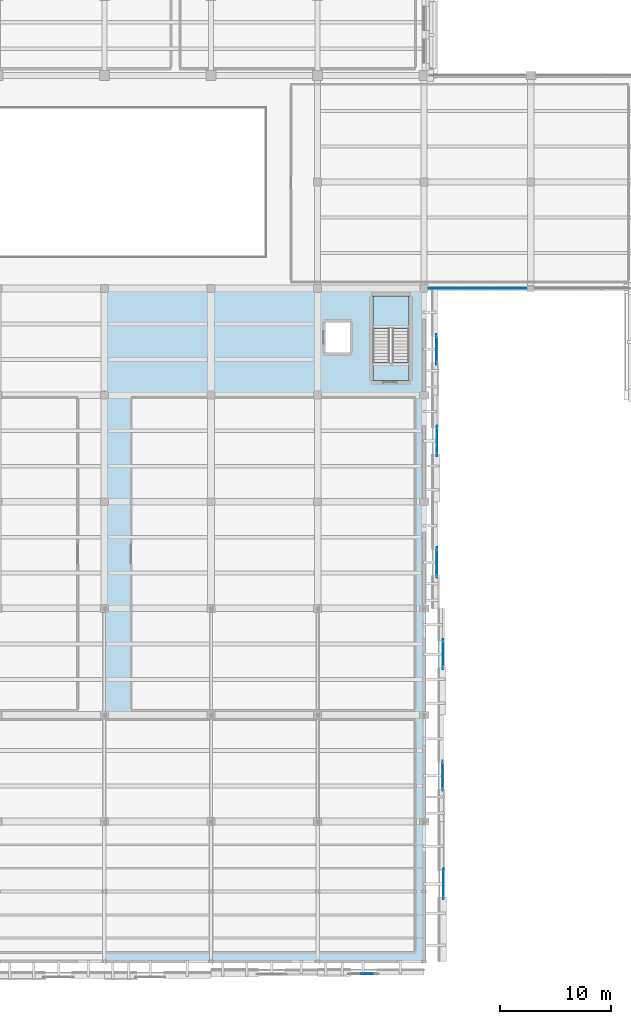
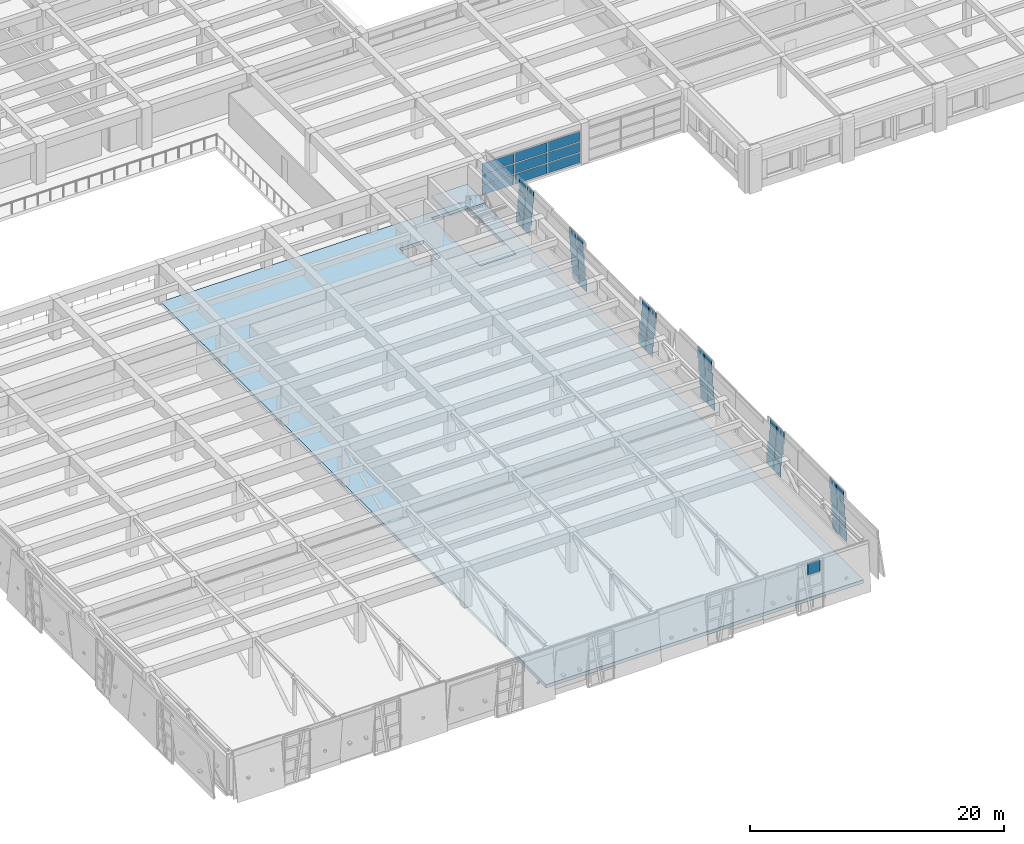
# One storey, part 32 of 62: 58 plates, 3 slabs, 9 elements without a shape of their own.
"""IFC4 building model written with IfcOpenShell, lengths in metres."""

from ifc_helpers import new_model, si_unit, direction, frame, origin, origin_2d, place, context, subcontext, project, spatial, polyline, rectangle, outline, extrude, material, layer, layer_set, type_object, element, aggregate, save


model = new_model("IFC4")

# Units and contexts
model_context = context("Model", 3, precision=1e-05, world=origin(), true_north=direction((0.0, 1.0)))
body_context = subcontext(model_context, "Body", "Model", "MODEL_VIEW")
ifc_project = project(units=[si_unit("LENGTHUNIT", "METRE"), si_unit("AREAUNIT", "SQUARE_METRE"), si_unit("VOLUMEUNIT", "CUBIC_METRE"), si_unit("PLANEANGLEUNIT", "RADIAN"), si_unit("MASSUNIT", "GRAM", prefix="KILO")], contexts=[model_context])

# Site, building, storey
site_placement = place(None, origin())
site = spatial("IfcSite", under=ifc_project, at=site_placement, CompositionType="ELEMENT")
building_placement = place(site_placement, origin())
building = spatial("IfcBuilding", under=site, at=building_placement, Name="Bempovik Park Faculty of Sciences", CompositionType="ELEMENT")
storey_placement = place(building_placement, frame((0.0, 0.0, 9.89990234375)))
storey = spatial("IfcBuildingStorey", under=building, at=storey_placement, Name="L02", CompositionType="ELEMENT", Elevation=9.89990234375)

# Curtain wall, plates
ifc_material_1 = material(Name="Tempered laminated low-E glass", Category="glass")
ifc_layer_1 = layer(ifc_material_1, 0.159912109375)
ifc_layer_set_1 = layer_set([ifc_layer_1], Name="Tempered laminated low-E glass")
curtain_wall_type_1 = type_object("IfcCurtainWallType", Name="CW-41 Curtain 6600x3800", PredefinedType="USERDEFINED", material=ifc_layer_set_1)
curtain_wall_1_placement = place(storey_placement, origin())
curtain_wall_1 = element("IfcCurtainWall", 1, at=curtain_wall_1_placement, inside=storey, type_object=curtain_wall_type_1, Name="L02 Unitised Curtain Wall (67.8,117.6)", ObjectType="UNITISED CURTAIN WALL", PredefinedType="USERDEFINED")
ifc_layer_2 = layer(ifc_material_1, 0.033935546875)
ifc_layer_set_2 = layer_set([ifc_layer_2], Name="Tempered laminated low-E glass")
plate_type_1 = type_object("IfcPlateType", Name="CP-19 Curtain Panel 34mm", PredefinedType="CURTAIN_PANEL", material=ifc_layer_set_2)
plate_1_placement = place(storey_placement, frame((119.434814453125, 67.800048828125, 1.066650390625), z_axis=(0.0, 0.0, 1.0), x_axis=(1.0, 0.0, 0.0)))
plate_1 = element("IfcPlate", 2, at=plate_1_placement, type_object=plate_type_1, Name="CW-BAY-L02-678-1176 Panel 0-1", PredefinedType="CURTAIN_PANEL", context=body_context, shape_type="SweptSolid", body=[
    extrude(rectangle(XDim=2.88525390625, YDim=0.035888671875, at=origin_2d()), origin(), (0.0, 0.0, 1.0), 0.94677734375),
])
plate_2_placement = place(storey_placement, frame((119.434814453125, 67.800048828125, 2.093505859375), z_axis=(0.0, 0.0, 1.0), x_axis=(1.0, 0.0, 0.0)))
plate_2 = element("IfcPlate", 3, at=plate_2_placement, type_object=plate_type_1, Name="CW-BAY-L02-678-1176 Panel 0-2", PredefinedType="CURTAIN_PANEL", context=body_context, shape_type="SweptSolid", body=[
    extrude(rectangle(XDim=2.88525390625, YDim=0.035888671875, at=origin_2d()), origin(), (0.0, 0.0, 1.0), 0.94677734375),
])
plate_3_placement = place(storey_placement, frame((122.39990234375, 67.800048828125, 1.066650390625), z_axis=(0.0, 0.0, 1.0), x_axis=(1.0, 0.0, 0.0)))
plate_3 = element("IfcPlate", 4, at=plate_3_placement, type_object=plate_type_1, Name="CW-BAY-L02-678-1176 Panel 1-1", PredefinedType="CURTAIN_PANEL", context=body_context, shape_type="SweptSolid", body=[
    extrude(rectangle(XDim=2.88525390625, YDim=0.035888671875, at=origin_2d()), origin(), (0.0, 0.0, 1.0), 0.94677734375),
])
plate_4_placement = place(storey_placement, frame((122.39990234375, 67.800048828125, 2.093505859375), z_axis=(0.0, 0.0, 1.0), x_axis=(1.0, 0.0, 0.0)))
plate_4 = element("IfcPlate", 5, at=plate_4_placement, type_object=plate_type_1, Name="CW-BAY-L02-678-1176 Panel 1-2", PredefinedType="CURTAIN_PANEL", context=body_context, shape_type="SweptSolid", body=[
    extrude(rectangle(XDim=2.88525390625, YDim=0.035888671875, at=origin_2d()), origin(), (0.0, 0.0, 1.0), 0.94677734375),
])
plate_5_placement = place(storey_placement, frame((125.365234375, 67.800048828125, 1.066650390625), z_axis=(0.0, 0.0, 1.0), x_axis=(1.0, 0.0, 0.0)))
plate_5 = element("IfcPlate", 6, at=plate_5_placement, type_object=plate_type_1, Name="CW-BAY-L02-678-1176 Panel 2-1", PredefinedType="CURTAIN_PANEL", context=body_context, shape_type="SweptSolid", body=[
    extrude(rectangle(XDim=2.88525390625, YDim=0.035888671875, at=origin_2d()), origin(), (0.0, 0.0, 1.0), 0.94677734375),
])
plate_6_placement = place(storey_placement, frame((125.365234375, 67.800048828125, 2.093505859375), z_axis=(0.0, 0.0, 1.0), x_axis=(1.0, 0.0, 0.0)))
plate_6 = element("IfcPlate", 7, at=plate_6_placement, type_object=plate_type_1, Name="CW-BAY-L02-678-1176 Panel 2-2", PredefinedType="CURTAIN_PANEL", context=body_context, shape_type="SweptSolid", body=[
    extrude(rectangle(XDim=2.88525390625, YDim=0.035888671875, at=origin_2d()), origin(), (0.0, 0.0, 1.0), 0.94677734375),
])

ifc_layer_3 = layer(ifc_material_1, 0.159912109375)
ifc_layer_set_3 = layer_set([ifc_layer_3], Name="Tempered laminated low-E glass")
curtain_wall_type_2 = type_object("IfcCurtainWallType", Name="CW-61 Curtain 2400x4200", PredefinedType="USERDEFINED", material=ifc_layer_set_3)
curtain_wall_2_placement = place(storey_placement, origin())
curtain_wall_2 = element("IfcCurtainWall", 8, at=curtain_wall_2_placement, inside=storey, type_object=curtain_wall_type_2, Name="L02 Crystal Slantwise Light Fold (117.6,7.2)", ObjectType="UNITISED CURTAIN WALL", PredefinedType="USERDEFINED")
ifc_layer_4 = layer(ifc_material_1, 0.035888671875)
ifc_layer_set_4 = layer_set([ifc_layer_4], Name="Tempered laminated low-E glass")
plate_type_2 = type_object("IfcPlateType", Name="CP-22 Curtain Panel 36mm", PredefinedType="CURTAIN_PANEL", material=ifc_layer_set_4)
plate_7_placement = place(storey_placement, frame((119.34033203125, 13.344970703125, -0.3798828125), z_axis=(0.0, 0.0, 1.0), x_axis=(0.0, 1.0, 0.0)))
plate_7 = element("IfcPlate", 9, at=plate_7_placement, type_object=plate_type_2, Name="CW-FOLD-L02-1176-72 Panel 0-0", PredefinedType="CURTAIN_PANEL", context=body_context, shape_type="SweptSolid", body=[
    extrude(rectangle(XDim=1.070068359375, YDim=0.035888671875, at=origin_2d()), origin(), (0.0, 0.0, 1.0), 1.0849609375),
])
plate_8_placement = place(storey_placement, frame((119.34033203125, 13.514892578125, 0.78515625), z_axis=(0.0, 0.0, 1.0), x_axis=(0.0, 1.0, 0.0)))
plate_8 = element("IfcPlate", 10, at=plate_8_placement, type_object=plate_type_2, Name="CW-FOLD-L02-1176-72 Panel 0-1", PredefinedType="CURTAIN_PANEL", context=body_context, shape_type="SweptSolid", body=[
    extrude(rectangle(XDim=1.070068359375, YDim=0.035888671875, at=origin_2d()), origin(), (0.0, 0.0, 1.0), 1.0849609375),
])
plate_9_placement = place(storey_placement, frame((119.34033203125, 13.68505859375, 1.9501953125), z_axis=(0.0, 0.0, 1.0), x_axis=(0.0, 1.0, 0.0)))
plate_9 = element("IfcPlate", 11, at=plate_9_placement, type_object=plate_type_2, Name="CW-FOLD-L02-1176-72 Panel 0-2", PredefinedType="CURTAIN_PANEL", context=body_context, shape_type="SweptSolid", body=[
    extrude(rectangle(XDim=1.070068359375, YDim=0.035888671875, at=origin_2d()), origin(), (0.0, 0.0, 1.0), 1.0849609375),
])
plate_10_placement = place(storey_placement, frame((119.34033203125, 13.85498046875, 3.115234375), z_axis=(0.0, 0.0, 1.0), x_axis=(0.0, 1.0, 0.0)))
plate_10 = element("IfcPlate", 12, at=plate_10_placement, type_object=plate_type_2, Name="CW-FOLD-L02-1176-72 Panel 0-3", PredefinedType="CURTAIN_PANEL", context=body_context, shape_type="SweptSolid", body=[
    extrude(rectangle(XDim=1.070068359375, YDim=0.035888671875, at=origin_2d()), origin(), (0.0, 0.0, 1.0), 1.0849609375),
])
plate_11_placement = place(storey_placement, frame((119.34033203125, 14.4951171875, -0.3798828125), z_axis=(0.0, 0.0, 1.0), x_axis=(0.0, 1.0, 0.0)))
plate_11 = element("IfcPlate", 13, at=plate_11_placement, type_object=plate_type_2, Name="CW-FOLD-L02-1176-72 Panel 1-0", PredefinedType="CURTAIN_PANEL", context=body_context, shape_type="SweptSolid", body=[
    extrude(rectangle(XDim=1.070068359375, YDim=0.035888671875, at=origin_2d()), origin(), (0.0, 0.0, 1.0), 1.0849609375),
])
plate_12_placement = place(storey_placement, frame((119.34033203125, 14.6650390625, 0.78515625), z_axis=(0.0, 0.0, 1.0), x_axis=(0.0, 1.0, 0.0)))
plate_12 = element("IfcPlate", 14, at=plate_12_placement, type_object=plate_type_2, Name="CW-FOLD-L02-1176-72 Panel 1-1", PredefinedType="CURTAIN_PANEL", context=body_context, shape_type="SweptSolid", body=[
    extrude(rectangle(XDim=1.070068359375, YDim=0.035888671875, at=origin_2d()), origin(), (0.0, 0.0, 1.0), 1.0849609375),
])
plate_13_placement = place(storey_placement, frame((119.34033203125, 14.8349609375, 1.9501953125), z_axis=(0.0, 0.0, 1.0), x_axis=(0.0, 1.0, 0.0)))
plate_13 = element("IfcPlate", 15, at=plate_13_placement, type_object=plate_type_2, Name="CW-FOLD-L02-1176-72 Panel 1-2", PredefinedType="CURTAIN_PANEL", context=body_context, shape_type="SweptSolid", body=[
    extrude(rectangle(XDim=1.070068359375, YDim=0.035888671875, at=origin_2d()), origin(), (0.0, 0.0, 1.0), 1.0849609375),
])
plate_14_placement = place(storey_placement, frame((119.34033203125, 15.0048828125, 3.115234375), z_axis=(0.0, 0.0, 1.0), x_axis=(0.0, 1.0, 0.0)))
plate_14 = element("IfcPlate", 16, at=plate_14_placement, type_object=plate_type_2, Name="CW-FOLD-L02-1176-72 Panel 1-3", PredefinedType="CURTAIN_PANEL", context=body_context, shape_type="SweptSolid", body=[
    extrude(rectangle(XDim=1.070068359375, YDim=0.035888671875, at=origin_2d()), origin(), (0.0, 0.0, 1.0), 1.0849609375),
])
aggregate(curtain_wall_2, [plate_7, plate_8, plate_9, plate_10, plate_11, plate_12, plate_13, plate_14])

curtain_wall_3_placement = place(storey_placement, origin())
curtain_wall_3 = element("IfcCurtainWall", 17, at=curtain_wall_3_placement, inside=storey, type_object=curtain_wall_type_2, Name="L02 Crystal Slantwise Light Fold (117.6,19.8)", ObjectType="UNITISED CURTAIN WALL", PredefinedType="USERDEFINED")
plate_15_placement = place(storey_placement, frame((119.27587890625, 23.60498046875, -0.3798828125), z_axis=(0.0, 0.0, 1.0), x_axis=(0.0, 1.0, 0.0)))
plate_15 = element("IfcPlate", 18, at=plate_15_placement, type_object=plate_type_2, Name="CW-FOLD-L02-1176-198 Panel 0-0", PredefinedType="CURTAIN_PANEL", context=body_context, shape_type="SweptSolid", body=[
    extrude(rectangle(XDim=1.070068359375, YDim=0.035888671875, at=origin_2d()), origin(), (0.0, 0.0, 1.0), 1.0849609375),
])
plate_16_placement = place(storey_placement, frame((119.27587890625, 23.43505859375, 0.78515625), z_axis=(0.0, 0.0, 1.0), x_axis=(0.0, 1.0, 0.0)))
plate_16 = element("IfcPlate", 19, at=plate_16_placement, type_object=plate_type_2, Name="CW-FOLD-L02-1176-198 Panel 0-1", PredefinedType="CURTAIN_PANEL", context=body_context, shape_type="SweptSolid", body=[
    extrude(rectangle(XDim=1.070068359375, YDim=0.035888671875, at=origin_2d()), origin(), (0.0, 0.0, 1.0), 1.0849609375),
])
plate_17_placement = place(storey_placement, frame((119.27587890625, 23.264892578125, 1.9501953125), z_axis=(0.0, 0.0, 1.0), x_axis=(0.0, 1.0, 0.0)))
plate_17 = element("IfcPlate", 20, at=plate_17_placement, type_object=plate_type_2, Name="CW-FOLD-L02-1176-198 Panel 0-2", PredefinedType="CURTAIN_PANEL", context=body_context, shape_type="SweptSolid", body=[
    extrude(rectangle(XDim=1.070068359375, YDim=0.035888671875, at=origin_2d()), origin(), (0.0, 0.0, 1.0), 1.0849609375),
])
plate_18_placement = place(storey_placement, frame((119.27587890625, 23.094970703125, 3.115234375), z_axis=(0.0, 0.0, 1.0), x_axis=(0.0, 1.0, 0.0)))
plate_18 = element("IfcPlate", 21, at=plate_18_placement, type_object=plate_type_2, Name="CW-FOLD-L02-1176-198 Panel 0-3", PredefinedType="CURTAIN_PANEL", context=body_context, shape_type="SweptSolid", body=[
    extrude(rectangle(XDim=1.070068359375, YDim=0.035888671875, at=origin_2d()), origin(), (0.0, 0.0, 1.0), 1.0849609375),
])
plate_19_placement = place(storey_placement, frame((119.27587890625, 24.7548828125, -0.3798828125), z_axis=(0.0, 0.0, 1.0), x_axis=(0.0, 1.0, 0.0)))
plate_19 = element("IfcPlate", 22, at=plate_19_placement, type_object=plate_type_2, Name="CW-FOLD-L02-1176-198 Panel 1-0", PredefinedType="CURTAIN_PANEL", context=body_context, shape_type="SweptSolid", body=[
    extrude(rectangle(XDim=1.070068359375, YDim=0.035888671875, at=origin_2d()), origin(), (0.0, 0.0, 1.0), 1.0849609375),
])
plate_20_placement = place(storey_placement, frame((119.27587890625, 24.5849609375, 0.78515625), z_axis=(0.0, 0.0, 1.0), x_axis=(0.0, 1.0, 0.0)))
plate_20 = element("IfcPlate", 23, at=plate_20_placement, type_object=plate_type_2, Name="CW-FOLD-L02-1176-198 Panel 1-1", PredefinedType="CURTAIN_PANEL", context=body_context, shape_type="SweptSolid", body=[
    extrude(rectangle(XDim=1.070068359375, YDim=0.035888671875, at=origin_2d()), origin(), (0.0, 0.0, 1.0), 1.0849609375),
])
plate_21_placement = place(storey_placement, frame((119.27587890625, 24.4150390625, 1.9501953125), z_axis=(0.0, 0.0, 1.0), x_axis=(0.0, 1.0, 0.0)))
plate_21 = element("IfcPlate", 24, at=plate_21_placement, type_object=plate_type_2, Name="CW-FOLD-L02-1176-198 Panel 1-2", PredefinedType="CURTAIN_PANEL", context=body_context, shape_type="SweptSolid", body=[
    extrude(rectangle(XDim=1.070068359375, YDim=0.035888671875, at=origin_2d()), origin(), (0.0, 0.0, 1.0), 1.0849609375),
])
plate_22_placement = place(storey_placement, frame((119.27587890625, 24.2451171875, 3.115234375), z_axis=(0.0, 0.0, 1.0), x_axis=(0.0, 1.0, 0.0)))
plate_22 = element("IfcPlate", 25, at=plate_22_placement, type_object=plate_type_2, Name="CW-FOLD-L02-1176-198 Panel 1-3", PredefinedType="CURTAIN_PANEL", context=body_context, shape_type="SweptSolid", body=[
    extrude(rectangle(XDim=1.070068359375, YDim=0.035888671875, at=origin_2d()), origin(), (0.0, 0.0, 1.0), 1.0849609375),
])
aggregate(curtain_wall_3, [plate_15, plate_16, plate_17, plate_18, plate_19, plate_20, plate_21, plate_22])

curtain_wall_4_placement = place(storey_placement, origin())
curtain_wall_4 = element("IfcCurtainWall", 26, at=curtain_wall_4_placement, inside=storey, type_object=curtain_wall_type_2, Name="L02 Crystal Slantwise Light Fold (117.6,29.4)", ObjectType="UNITISED CURTAIN WALL", PredefinedType="USERDEFINED")
plate_23_placement = place(storey_placement, frame((119.30810546875, 34.044921875, -0.3798828125), z_axis=(0.0, 0.0, 1.0), x_axis=(0.0, 1.0, 0.0)))
plate_23 = element("IfcPlate", 27, at=plate_23_placement, type_object=plate_type_2, Name="CW-FOLD-L02-1176-294 Panel 0-0", PredefinedType="CURTAIN_PANEL", context=body_context, shape_type="SweptSolid", body=[
    extrude(rectangle(XDim=1.070068359375, YDim=0.035888671875, at=origin_2d()), origin(), (0.0, 0.0, 1.0), 1.0849609375),
])
plate_24_placement = place(storey_placement, frame((119.30810546875, 34.215087890625, 0.78515625), z_axis=(0.0, 0.0, 1.0), x_axis=(0.0, 1.0, 0.0)))
plate_24 = element("IfcPlate", 28, at=plate_24_placement, type_object=plate_type_2, Name="CW-FOLD-L02-1176-294 Panel 0-1", PredefinedType="CURTAIN_PANEL", context=body_context, shape_type="SweptSolid", body=[
    extrude(rectangle(XDim=1.070068359375, YDim=0.035888671875, at=origin_2d()), origin(), (0.0, 0.0, 1.0), 1.0849609375),
])
plate_25_placement = place(storey_placement, frame((119.30810546875, 34.385009765625, 1.9501953125), z_axis=(0.0, 0.0, 1.0), x_axis=(0.0, 1.0, 0.0)))
plate_25 = element("IfcPlate", 29, at=plate_25_placement, type_object=plate_type_2, Name="CW-FOLD-L02-1176-294 Panel 0-2", PredefinedType="CURTAIN_PANEL", context=body_context, shape_type="SweptSolid", body=[
    extrude(rectangle(XDim=1.070068359375, YDim=0.035888671875, at=origin_2d()), origin(), (0.0, 0.0, 1.0), 1.0849609375),
])
plate_26_placement = place(storey_placement, frame((119.30810546875, 34.554931640625, 3.115234375), z_axis=(0.0, 0.0, 1.0), x_axis=(0.0, 1.0, 0.0)))
plate_26 = element("IfcPlate", 30, at=plate_26_placement, type_object=plate_type_2, Name="CW-FOLD-L02-1176-294 Panel 0-3", PredefinedType="CURTAIN_PANEL", context=body_context, shape_type="SweptSolid", body=[
    extrude(rectangle(XDim=1.070068359375, YDim=0.035888671875, at=origin_2d()), origin(), (0.0, 0.0, 1.0), 1.0849609375),
])
plate_27_placement = place(storey_placement, frame((119.30810546875, 35.195068359375, -0.3798828125), z_axis=(0.0, 0.0, 1.0), x_axis=(0.0, 1.0, 0.0)))
plate_27 = element("IfcPlate", 31, at=plate_27_placement, type_object=plate_type_2, Name="CW-FOLD-L02-1176-294 Panel 1-0", PredefinedType="CURTAIN_PANEL", context=body_context, shape_type="SweptSolid", body=[
    extrude(rectangle(XDim=1.070068359375, YDim=0.035888671875, at=origin_2d()), origin(), (0.0, 0.0, 1.0), 1.0849609375),
])
plate_28_placement = place(storey_placement, frame((119.30810546875, 35.364990234375, 0.78515625), z_axis=(0.0, 0.0, 1.0), x_axis=(0.0, 1.0, 0.0)))
plate_28 = element("IfcPlate", 32, at=plate_28_placement, type_object=plate_type_2, Name="CW-FOLD-L02-1176-294 Panel 1-1", PredefinedType="CURTAIN_PANEL", context=body_context, shape_type="SweptSolid", body=[
    extrude(rectangle(XDim=1.070068359375, YDim=0.035888671875, at=origin_2d()), origin(), (0.0, 0.0, 1.0), 1.0849609375),
])
plate_29_placement = place(storey_placement, frame((119.30810546875, 35.534912109375, 1.9501953125), z_axis=(0.0, 0.0, 1.0), x_axis=(0.0, 1.0, 0.0)))
plate_29 = element("IfcPlate", 33, at=plate_29_placement, type_object=plate_type_2, Name="CW-FOLD-L02-1176-294 Panel 1-2", PredefinedType="CURTAIN_PANEL", context=body_context, shape_type="SweptSolid", body=[
    extrude(rectangle(XDim=1.070068359375, YDim=0.035888671875, at=origin_2d()), origin(), (0.0, 0.0, 1.0), 1.0849609375),
])
plate_30_placement = place(storey_placement, frame((119.30810546875, 35.705078125, 3.115234375), z_axis=(0.0, 0.0, 1.0), x_axis=(0.0, 1.0, 0.0)))
plate_30 = element("IfcPlate", 34, at=plate_30_placement, type_object=plate_type_2, Name="CW-FOLD-L02-1176-294 Panel 1-3", PredefinedType="CURTAIN_PANEL", context=body_context, shape_type="SweptSolid", body=[
    extrude(rectangle(XDim=1.070068359375, YDim=0.035888671875, at=origin_2d()), origin(), (0.0, 0.0, 1.0), 1.0849609375),
])
aggregate(curtain_wall_4, [plate_23, plate_24, plate_25, plate_26, plate_27, plate_28, plate_29, plate_30])

curtain_wall_5_placement = place(storey_placement, origin())
curtain_wall_5 = element("IfcCurtainWall", 35, at=curtain_wall_5_placement, inside=storey, type_object=curtain_wall_type_2, Name="L02 Crystal Slantwise Light Fold (117.6,39.0)", ObjectType="UNITISED CURTAIN WALL", PredefinedType="USERDEFINED")
plate_31_placement = place(storey_placement, frame((118.744384765625, 42.804931640625, -0.3798828125), z_axis=(0.0, 0.0, 1.0), x_axis=(0.0, 1.0, 0.0)))
plate_31 = element("IfcPlate", 36, at=plate_31_placement, type_object=plate_type_2, Name="CW-FOLD-L02-1176-390 Panel 0-0", PredefinedType="CURTAIN_PANEL", context=body_context, shape_type="SweptSolid", body=[
    extrude(rectangle(XDim=1.070068359375, YDim=0.035888671875, at=origin_2d()), origin(), (0.0, 0.0, 1.0), 1.0849609375),
])
plate_32_placement = place(storey_placement, frame((118.744384765625, 42.635009765625, 0.78515625), z_axis=(0.0, 0.0, 1.0), x_axis=(0.0, 1.0, 0.0)))
plate_32 = element("IfcPlate", 37, at=plate_32_placement, type_object=plate_type_2, Name="CW-FOLD-L02-1176-390 Panel 0-1", PredefinedType="CURTAIN_PANEL", context=body_context, shape_type="SweptSolid", body=[
    extrude(rectangle(XDim=1.070068359375, YDim=0.035888671875, at=origin_2d()), origin(), (0.0, 0.0, 1.0), 1.0849609375),
])
plate_33_placement = place(storey_placement, frame((118.744384765625, 42.465087890625, 1.9501953125), z_axis=(0.0, 0.0, 1.0), x_axis=(0.0, 1.0, 0.0)))
plate_33 = element("IfcPlate", 38, at=plate_33_placement, type_object=plate_type_2, Name="CW-FOLD-L02-1176-390 Panel 0-2", PredefinedType="CURTAIN_PANEL", context=body_context, shape_type="SweptSolid", body=[
    extrude(rectangle(XDim=1.070068359375, YDim=0.035888671875, at=origin_2d()), origin(), (0.0, 0.0, 1.0), 1.0849609375),
])
plate_34_placement = place(storey_placement, frame((118.744384765625, 42.294921875, 3.115234375), z_axis=(0.0, 0.0, 1.0), x_axis=(0.0, 1.0, 0.0)))
plate_34 = element("IfcPlate", 39, at=plate_34_placement, type_object=plate_type_2, Name="CW-FOLD-L02-1176-390 Panel 0-3", PredefinedType="CURTAIN_PANEL", context=body_context, shape_type="SweptSolid", body=[
    extrude(rectangle(XDim=1.070068359375, YDim=0.035888671875, at=origin_2d()), origin(), (0.0, 0.0, 1.0), 1.0849609375),
])
plate_35_placement = place(storey_placement, frame((118.744384765625, 43.955078125, -0.3798828125), z_axis=(0.0, 0.0, 1.0), x_axis=(0.0, 1.0, 0.0)))
plate_35 = element("IfcPlate", 40, at=plate_35_placement, type_object=plate_type_2, Name="CW-FOLD-L02-1176-390 Panel 1-0", PredefinedType="CURTAIN_PANEL", context=body_context, shape_type="SweptSolid", body=[
    extrude(rectangle(XDim=1.070068359375, YDim=0.035888671875, at=origin_2d()), origin(), (0.0, 0.0, 1.0), 1.0849609375),
])
plate_36_placement = place(storey_placement, frame((118.744384765625, 43.784912109375, 0.78515625), z_axis=(0.0, 0.0, 1.0), x_axis=(0.0, 1.0, 0.0)))
plate_36 = element("IfcPlate", 41, at=plate_36_placement, type_object=plate_type_2, Name="CW-FOLD-L02-1176-390 Panel 1-1", PredefinedType="CURTAIN_PANEL", context=body_context, shape_type="SweptSolid", body=[
    extrude(rectangle(XDim=1.070068359375, YDim=0.035888671875, at=origin_2d()), origin(), (0.0, 0.0, 1.0), 1.0849609375),
])
plate_37_placement = place(storey_placement, frame((118.744384765625, 43.614990234375, 1.9501953125), z_axis=(0.0, 0.0, 1.0), x_axis=(0.0, 1.0, 0.0)))
plate_37 = element("IfcPlate", 42, at=plate_37_placement, type_object=plate_type_2, Name="CW-FOLD-L02-1176-390 Panel 1-2", PredefinedType="CURTAIN_PANEL", context=body_context, shape_type="SweptSolid", body=[
    extrude(rectangle(XDim=1.070068359375, YDim=0.035888671875, at=origin_2d()), origin(), (0.0, 0.0, 1.0), 1.0849609375),
])
plate_38_placement = place(storey_placement, frame((118.744384765625, 43.445068359375, 3.115234375), z_axis=(0.0, 0.0, 1.0), x_axis=(0.0, 1.0, 0.0)))
plate_38 = element("IfcPlate", 43, at=plate_38_placement, type_object=plate_type_2, Name="CW-FOLD-L02-1176-390 Panel 1-3", PredefinedType="CURTAIN_PANEL", context=body_context, shape_type="SweptSolid", body=[
    extrude(rectangle(XDim=1.070068359375, YDim=0.035888671875, at=origin_2d()), origin(), (0.0, 0.0, 1.0), 1.0849609375),
])
aggregate(curtain_wall_5, [plate_31, plate_32, plate_33, plate_34, plate_35, plate_36, plate_37, plate_38])

curtain_wall_6_placement = place(storey_placement, origin())
curtain_wall_6 = element("IfcCurtainWall", 44, at=curtain_wall_6_placement, inside=storey, type_object=curtain_wall_type_2, Name="L02 Crystal Slantwise Light Fold (117.6,48.6)", ObjectType="UNITISED CURTAIN WALL", PredefinedType="USERDEFINED")
plate_39_placement = place(storey_placement, frame((118.752197265625, 53.2451171875, -0.3798828125), z_axis=(0.0, 0.0, 1.0), x_axis=(0.0, 1.0, 0.0)))
plate_39 = element("IfcPlate", 45, at=plate_39_placement, type_object=plate_type_2, Name="CW-FOLD-L02-1176-486 Panel 0-0", PredefinedType="CURTAIN_PANEL", context=body_context, shape_type="SweptSolid", body=[
    extrude(rectangle(XDim=1.070068359375, YDim=0.035888671875, at=origin_2d()), origin(), (0.0, 0.0, 1.0), 1.0849609375),
])
plate_40_placement = place(storey_placement, frame((118.752197265625, 53.4150390625, 0.78515625), z_axis=(0.0, 0.0, 1.0), x_axis=(0.0, 1.0, 0.0)))
plate_40 = element("IfcPlate", 46, at=plate_40_placement, type_object=plate_type_2, Name="CW-FOLD-L02-1176-486 Panel 0-1", PredefinedType="CURTAIN_PANEL", context=body_context, shape_type="SweptSolid", body=[
    extrude(rectangle(XDim=1.070068359375, YDim=0.035888671875, at=origin_2d()), origin(), (0.0, 0.0, 1.0), 1.0849609375),
])
plate_41_placement = place(storey_placement, frame((118.752197265625, 53.5849609375, 1.9501953125), z_axis=(0.0, 0.0, 1.0), x_axis=(0.0, 1.0, 0.0)))
plate_41 = element("IfcPlate", 47, at=plate_41_placement, type_object=plate_type_2, Name="CW-FOLD-L02-1176-486 Panel 0-2", PredefinedType="CURTAIN_PANEL", context=body_context, shape_type="SweptSolid", body=[
    extrude(rectangle(XDim=1.070068359375, YDim=0.035888671875, at=origin_2d()), origin(), (0.0, 0.0, 1.0), 1.0849609375),
])
plate_42_placement = place(storey_placement, frame((118.752197265625, 53.7548828125, 3.115234375), z_axis=(0.0, 0.0, 1.0), x_axis=(0.0, 1.0, 0.0)))
plate_42 = element("IfcPlate", 48, at=plate_42_placement, type_object=plate_type_2, Name="CW-FOLD-L02-1176-486 Panel 0-3", PredefinedType="CURTAIN_PANEL", context=body_context, shape_type="SweptSolid", body=[
    extrude(rectangle(XDim=1.070068359375, YDim=0.035888671875, at=origin_2d()), origin(), (0.0, 0.0, 1.0), 1.0849609375),
])
plate_43_placement = place(storey_placement, frame((118.752197265625, 54.39501953125, -0.3798828125), z_axis=(0.0, 0.0, 1.0), x_axis=(0.0, 1.0, 0.0)))
plate_43 = element("IfcPlate", 49, at=plate_43_placement, type_object=plate_type_2, Name="CW-FOLD-L02-1176-486 Panel 1-0", PredefinedType="CURTAIN_PANEL", context=body_context, shape_type="SweptSolid", body=[
    extrude(rectangle(XDim=1.070068359375, YDim=0.035888671875, at=origin_2d()), origin(), (0.0, 0.0, 1.0), 1.0849609375),
])
plate_44_placement = place(storey_placement, frame((118.752197265625, 54.56494140625, 0.78515625), z_axis=(0.0, 0.0, 1.0), x_axis=(0.0, 1.0, 0.0)))
plate_44 = element("IfcPlate", 50, at=plate_44_placement, type_object=plate_type_2, Name="CW-FOLD-L02-1176-486 Panel 1-1", PredefinedType="CURTAIN_PANEL", context=body_context, shape_type="SweptSolid", body=[
    extrude(rectangle(XDim=1.070068359375, YDim=0.035888671875, at=origin_2d()), origin(), (0.0, 0.0, 1.0), 1.0849609375),
])
plate_45_placement = place(storey_placement, frame((118.752197265625, 54.735107421875, 1.9501953125), z_axis=(0.0, 0.0, 1.0), x_axis=(0.0, 1.0, 0.0)))
plate_45 = element("IfcPlate", 51, at=plate_45_placement, type_object=plate_type_2, Name="CW-FOLD-L02-1176-486 Panel 1-2", PredefinedType="CURTAIN_PANEL", context=body_context, shape_type="SweptSolid", body=[
    extrude(rectangle(XDim=1.070068359375, YDim=0.035888671875, at=origin_2d()), origin(), (0.0, 0.0, 1.0), 1.0849609375),
])
plate_46_placement = place(storey_placement, frame((118.752197265625, 54.905029296875, 3.115234375), z_axis=(0.0, 0.0, 1.0), x_axis=(0.0, 1.0, 0.0)))
plate_46 = element("IfcPlate", 52, at=plate_46_placement, type_object=plate_type_2, Name="CW-FOLD-L02-1176-486 Panel 1-3", PredefinedType="CURTAIN_PANEL", context=body_context, shape_type="SweptSolid", body=[
    extrude(rectangle(XDim=1.070068359375, YDim=0.035888671875, at=origin_2d()), origin(), (0.0, 0.0, 1.0), 1.0849609375),
])
aggregate(curtain_wall_6, [plate_39, plate_40, plate_41, plate_42, plate_43, plate_44, plate_45, plate_46])

curtain_wall_7_placement = place(storey_placement, origin())
curtain_wall_7 = element("IfcCurtainWall", 53, at=curtain_wall_7_placement, inside=storey, type_object=curtain_wall_type_2, Name="L02 Crystal Slantwise Light Fold (117.6,58.2)", ObjectType="UNITISED CURTAIN WALL", PredefinedType="USERDEFINED")
plate_47_placement = place(storey_placement, frame((118.72021484375, 62.0048828125, -0.3798828125), z_axis=(0.0, 0.0, 1.0), x_axis=(0.0, 1.0, 0.0)))
plate_47 = element("IfcPlate", 54, at=plate_47_placement, type_object=plate_type_2, Name="CW-FOLD-L02-1176-582 Panel 0-0", PredefinedType="CURTAIN_PANEL", context=body_context, shape_type="SweptSolid", body=[
    extrude(rectangle(XDim=1.070068359375, YDim=0.035888671875, at=origin_2d()), origin(), (0.0, 0.0, 1.0), 1.0849609375),
])
plate_48_placement = place(storey_placement, frame((118.72021484375, 61.8349609375, 0.78515625), z_axis=(0.0, 0.0, 1.0), x_axis=(0.0, 1.0, 0.0)))
plate_48 = element("IfcPlate", 55, at=plate_48_placement, type_object=plate_type_2, Name="CW-FOLD-L02-1176-582 Panel 0-1", PredefinedType="CURTAIN_PANEL", context=body_context, shape_type="SweptSolid", body=[
    extrude(rectangle(XDim=1.070068359375, YDim=0.035888671875, at=origin_2d()), origin(), (0.0, 0.0, 1.0), 1.0849609375),
])
plate_49_placement = place(storey_placement, frame((118.72021484375, 61.6650390625, 1.9501953125), z_axis=(0.0, 0.0, 1.0), x_axis=(0.0, 1.0, 0.0)))
plate_49 = element("IfcPlate", 56, at=plate_49_placement, type_object=plate_type_2, Name="CW-FOLD-L02-1176-582 Panel 0-2", PredefinedType="CURTAIN_PANEL", context=body_context, shape_type="SweptSolid", body=[
    extrude(rectangle(XDim=1.070068359375, YDim=0.035888671875, at=origin_2d()), origin(), (0.0, 0.0, 1.0), 1.0849609375),
])
plate_50_placement = place(storey_placement, frame((118.72021484375, 61.4951171875, 3.115234375), z_axis=(0.0, 0.0, 1.0), x_axis=(0.0, 1.0, 0.0)))
plate_50 = element("IfcPlate", 57, at=plate_50_placement, type_object=plate_type_2, Name="CW-FOLD-L02-1176-582 Panel 0-3", PredefinedType="CURTAIN_PANEL", context=body_context, shape_type="SweptSolid", body=[
    extrude(rectangle(XDim=1.070068359375, YDim=0.035888671875, at=origin_2d()), origin(), (0.0, 0.0, 1.0), 1.0849609375),
])
plate_51_placement = place(storey_placement, frame((118.72021484375, 63.155029296875, -0.3798828125), z_axis=(0.0, 0.0, 1.0), x_axis=(0.0, 1.0, 0.0)))
plate_51 = element("IfcPlate", 58, at=plate_51_placement, type_object=plate_type_2, Name="CW-FOLD-L02-1176-582 Panel 1-0", PredefinedType="CURTAIN_PANEL", context=body_context, shape_type="SweptSolid", body=[
    extrude(rectangle(XDim=1.070068359375, YDim=0.035888671875, at=origin_2d()), origin(), (0.0, 0.0, 1.0), 1.0849609375),
])
plate_52_placement = place(storey_placement, frame((118.72021484375, 62.985107421875, 0.78515625), z_axis=(0.0, 0.0, 1.0), x_axis=(0.0, 1.0, 0.0)))
plate_52 = element("IfcPlate", 59, at=plate_52_placement, type_object=plate_type_2, Name="CW-FOLD-L02-1176-582 Panel 1-1", PredefinedType="CURTAIN_PANEL", context=body_context, shape_type="SweptSolid", body=[
    extrude(rectangle(XDim=1.070068359375, YDim=0.035888671875, at=origin_2d()), origin(), (0.0, 0.0, 1.0), 1.0849609375),
])
plate_53_placement = place(storey_placement, frame((118.72021484375, 62.81494140625, 1.9501953125), z_axis=(0.0, 0.0, 1.0), x_axis=(0.0, 1.0, 0.0)))
plate_53 = element("IfcPlate", 60, at=plate_53_placement, type_object=plate_type_2, Name="CW-FOLD-L02-1176-582 Panel 1-2", PredefinedType="CURTAIN_PANEL", context=body_context, shape_type="SweptSolid", body=[
    extrude(rectangle(XDim=1.070068359375, YDim=0.035888671875, at=origin_2d()), origin(), (0.0, 0.0, 1.0), 1.0849609375),
])
plate_54_placement = place(storey_placement, frame((118.72021484375, 62.64501953125, 3.115234375), z_axis=(0.0, 0.0, 1.0), x_axis=(0.0, 1.0, 0.0)))
plate_54 = element("IfcPlate", 61, at=plate_54_placement, type_object=plate_type_2, Name="CW-FOLD-L02-1176-582 Panel 1-3", PredefinedType="CURTAIN_PANEL", context=body_context, shape_type="SweptSolid", body=[
    extrude(rectangle(XDim=1.070068359375, YDim=0.035888671875, at=origin_2d()), origin(), (0.0, 0.0, 1.0), 1.0849609375),
])
aggregate(curtain_wall_7, [plate_47, plate_48, plate_49, plate_50, plate_51, plate_52, plate_53, plate_54])

# Curtain wall, plate
curtain_wall_8_placement = place(storey_placement, origin())
curtain_wall_8 = element("IfcCurtainWall", 62, at=curtain_wall_8_placement, inside=storey, type_object=curtain_wall_type_2, Name="L02 Crystal Slantwise Light Fold (7.2,108.0)", ObjectType="UNITISED CURTAIN WALL", PredefinedType="USERDEFINED")
plate_55_placement = place(storey_placement, frame((112.445068359375, 6.079833984375, 3.115234375), z_axis=(0.0, 0.0, 1.0), x_axis=(1.0, 0.0, 0.0)))
plate_55 = element("IfcPlate", 63, at=plate_55_placement, type_object=plate_type_2, Name="CW-FOLD-L02-72-1080 Panel 1-3", PredefinedType="CURTAIN_PANEL", context=body_context, shape_type="SweptSolid", body=[
    extrude(rectangle(XDim=1.070068359375, YDim=0.035888671875, at=origin_2d()), origin(), (0.0, 0.0, 1.0), 1.0849609375),
])
aggregate(curtain_wall_8, [plate_55])

# Plate
ifc_material_2 = material(Name="Anodised architectural bronze")
ifc_layer_5 = layer(ifc_material_2, 0.048095703125)
ifc_layer_set_5 = layer_set([ifc_layer_5], Name="Anodised architectural bronze")
plate_type_3 = type_object("IfcPlateType", Name="CP-24 Curtain Panel 48mm", PredefinedType="CURTAIN_PANEL", material=ifc_layer_set_5)
plate_56_placement = place(storey_placement, frame((119.434814453125, 67.800048828125, 0.0400390625), z_axis=(0.0, 0.0, 1.0), x_axis=(1.0, 0.0, 0.0)))
plate_56 = element("IfcPlate", 64, at=plate_56_placement, type_object=plate_type_3, Name="CW-BAY-L02-678-1176 Panel 0-0", PredefinedType="CURTAIN_PANEL", context=body_context, shape_type="SweptSolid", body=[
    extrude(rectangle(XDim=2.88525390625, YDim=0.035888671875, at=origin_2d()), origin(), (0.0, 0.0, 1.0), 0.94677734375),
])

plate_57_placement = place(storey_placement, frame((122.39990234375, 67.800048828125, 0.0400390625), z_axis=(0.0, 0.0, 1.0), x_axis=(1.0, 0.0, 0.0)))
plate_57 = element("IfcPlate", 65, at=plate_57_placement, type_object=plate_type_3, Name="CW-BAY-L02-678-1176 Panel 1-0", PredefinedType="CURTAIN_PANEL", context=body_context, shape_type="SweptSolid", body=[
    extrude(rectangle(XDim=2.88525390625, YDim=0.035888671875, at=origin_2d()), origin(), (0.0, 0.0, 1.0), 0.94677734375),
])

plate_58_placement = place(storey_placement, frame((125.365234375, 67.800048828125, 0.0400390625), z_axis=(0.0, 0.0, 1.0), x_axis=(1.0, 0.0, 0.0)))
plate_58 = element("IfcPlate", 66, at=plate_58_placement, type_object=plate_type_3, Name="CW-BAY-L02-678-1176 Panel 2-0", PredefinedType="CURTAIN_PANEL", context=body_context, shape_type="SweptSolid", body=[
    extrude(rectangle(XDim=2.88525390625, YDim=0.035888671875, at=origin_2d()), origin(), (0.0, 0.0, 1.0), 0.94677734375),
])

aggregate(curtain_wall_1, [plate_56, plate_1, plate_2, plate_57, plate_3, plate_4, plate_58, plate_5, plate_6])

# Slab
ifc_material_3 = material(Name="Concrete C40/50", Category="concrete")
ifc_layer_6 = layer(ifc_material_3, 0.320068359375)
ifc_layer_set_6 = layer_set([ifc_layer_6], Name="Concrete C40/50")
slab_type_1 = type_object("IfcSlabType", Name="S-35 Slab 320mm", PredefinedType="FLOOR", material=ifc_layer_set_6)
slab_1_placement = place(storey_placement, frame((0.0, 0.0, -0.31982421875)))
element("IfcSlab", 67, at=slab_1_placement, inside=storey, type_object=slab_type_1, Name="L02 Crystal Commons Mass Floor Slab (E)", PredefinedType="FLOOR", context=body_context, shape_type="SweptSolid", body=[
    extrude(outline(polyline([(88.800048828125, 7.199951171875), (117.60009765625, 7.199951171875), (117.60009765625, 67.800048828125), (88.800048828125, 67.800048828125), (88.800048828125, 7.199951171875)]), holes=[polyline([(113.0, 59.5), (116.25, 59.5), (116.25, 67.125), (113.0, 67.125), (113.0, 59.5)]), polyline([(108.699951171875, 62.050048828125), (110.89990234375, 62.050048828125), (110.89990234375, 64.75), (108.699951171875, 64.75), (108.699951171875, 62.050048828125)])]), origin(), (0.0, 0.0, 1.0), 0.31982421875),
])

# Stair, slab
ifc_material_4 = material(Name="Concrete C35/45", Category="concrete")
stair_type = type_object("IfcStairType", Name="ST-16 Stair W1500 H4200", PredefinedType="HALF_TURN_STAIR", material=ifc_material_4)
stair_placement = place(storey_placement, origin())
stair = element("IfcStair", 68, at=stair_placement, inside=storey, type_object=stair_type, Name="L02 ST-5 Dog-Leg Exit Stair", PredefinedType="HALF_TURN_STAIR")
ifc_layer_7 = layer(ifc_material_4, 0.199951171875)
ifc_layer_set_7 = layer_set([ifc_layer_7], Name="Concrete C35/45")
slab_type_2 = type_object("IfcSlabType", Name="S-41 Slab 200mm", PredefinedType="LANDING", material=ifc_layer_set_7)
slab_2_placement = place(storey_placement, frame((0.0, 0.0, 1.900146484375)))
slab_2 = element("IfcSlab", 69, at=slab_2_placement, type_object=slab_type_2, Name="ST-16 landing 1", PredefinedType="LANDING", context=body_context, shape_type="SweptSolid", body=[
    extrude(outline(polyline([(116.25, 64.21875), (116.25, 67.125), (113.0, 67.125), (113.0, 64.21875), (116.25, 64.21875)])), origin(), (0.0, 0.0, 1.0), 0.199951171875),
])
aggregate(stair, [slab_2])

# Slab
slab_3_placement = place(storey_placement, frame((0.0, 0.0, -0.31982421875)))
element("IfcSlab", 70, at=slab_3_placement, inside=storey, type_object=slab_type_2, Name="L02 ST-5 Floor Landing Slab", PredefinedType="LANDING", context=body_context, shape_type="SweptSolid", body=[
    extrude(outline(polyline([(116.25, 59.5), (116.25, 61.125), (113.0, 61.125), (113.0, 59.5), (116.25, 59.5)])), origin(), (0.0, 0.0, 1.0), 0.31982421875),
])

save(model, "model.ifc")
